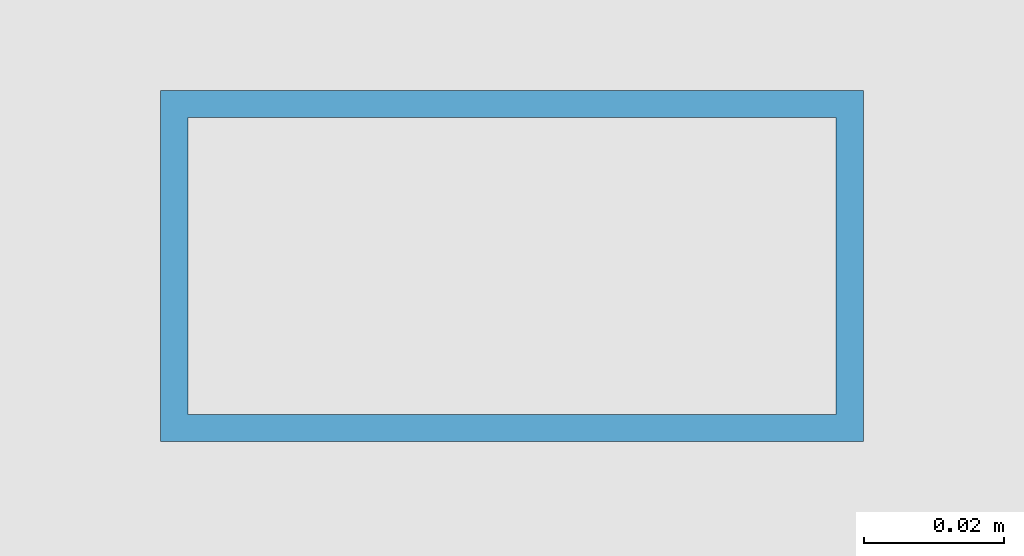
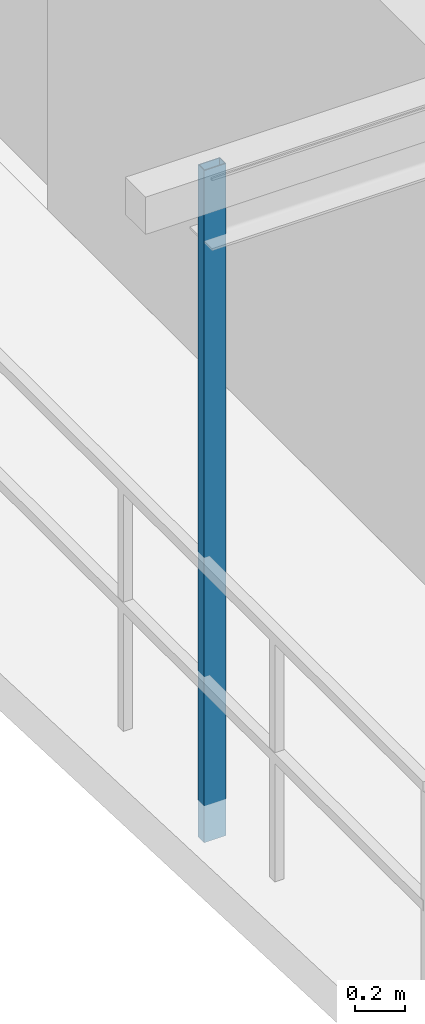
# One storey, part 3 of 15: 1 member.
"""IFC4 building model written with IfcOpenShell, lengths in metres."""

from ifc_helpers import new_model, si_unit, direction, frame, origin, origin_2d, place, context, subcontext, project, spatial, hollow_rectangle, extrude, source, transform, mapped, material, material_profile, profile_set, type_object, element, save


model = new_model("IFC4")

# Units and contexts
model_context = context("Model", 3, precision=1e-05, world=origin(), true_north=direction((0.0, 1.0)))
body_context = subcontext(model_context, "Body", "Model", "MODEL_VIEW")
ifc_project = project(units=[si_unit("LENGTHUNIT", "METRE"), si_unit("AREAUNIT", "SQUARE_METRE"), si_unit("VOLUMEUNIT", "CUBIC_METRE"), si_unit("PLANEANGLEUNIT", "RADIAN"), si_unit("MASSUNIT", "GRAM", prefix="KILO"), si_unit("THERMODYNAMICTEMPERATUREUNIT", "KELVIN"), si_unit("POWERUNIT", "WATT")], contexts=[model_context])

# Site, building, storey
site_placement = place(None, origin())
site = spatial("IfcSite", under=ifc_project, at=site_placement, CompositionType="ELEMENT")
building_placement = place(site_placement, origin())
building = spatial("IfcBuilding", under=site, at=building_placement, Name="Qiaomeng Ring Towers", CompositionType="ELEMENT")
storey_placement = place(building_placement, frame((0.0, 0.0, 219.75)))
storey = spatial("IfcBuildingStorey", under=building, at=storey_placement, Name="L64", CompositionType="ELEMENT", Elevation=219.75)

# Member
ifc_material = material(Name="Stainless steel 316", Category="steel")
ifc_material_profile = material_profile(ifc_material, hollow_rectangle(XDim=0.050048828125, YDim=0.10009765625, WallThickness=0.00390625, at=origin_2d()), Name="SS TRELLIS 100x50")
ifc_profile_set = profile_set([ifc_material_profile], Name="Stainless steel 316")
member_type = type_object("IfcMemberType", Name="ARC-TR-POST2", PredefinedType="STUD", material=ifc_profile_set)
shared_shape = source(origin(), body_context, "Body", "SweptSolid", [
    extrude(hollow_rectangle(XDim=0.050048828125, YDim=0.10009765625, WallThickness=0.00390625, at=origin_2d()), origin(), (0.0, 0.0, 1.0), 3.25),
])
member_placement = place(storey_placement, frame((0.72998046875, 20.0, -0.179931640625), z_axis=(0.0, 0.0, 1.0), x_axis=(0.0, 1.0, 0.0)))
element("IfcMember", 1, at=member_placement, inside=storey, type_object=member_type, Name="L64 Outer Ventilated Trellis Post W", PredefinedType="STUD", context=body_context, shape_type="MappedRepresentation", body=[
    mapped(shared_shape, transform((0.0, 0.0, 0.0), x_axis=(1.0, 0.0, 0.0), y_axis=(0.0, 1.0, 0.0), z_axis=(0.0, 0.0, 1.0), scale=1.0)),
])

save(model, "model.ifc")
